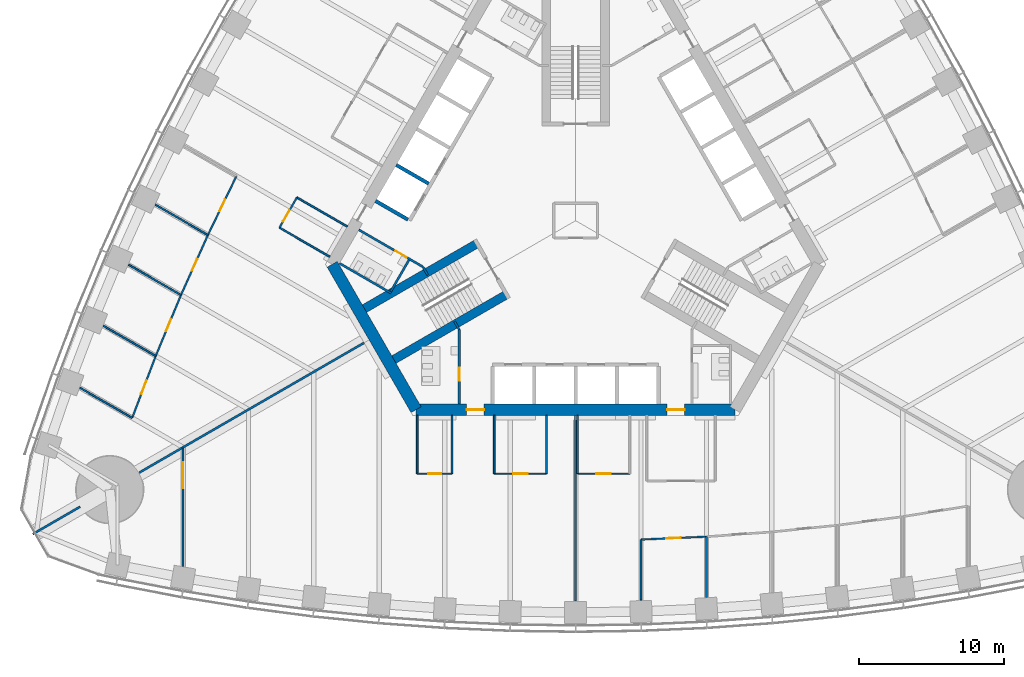
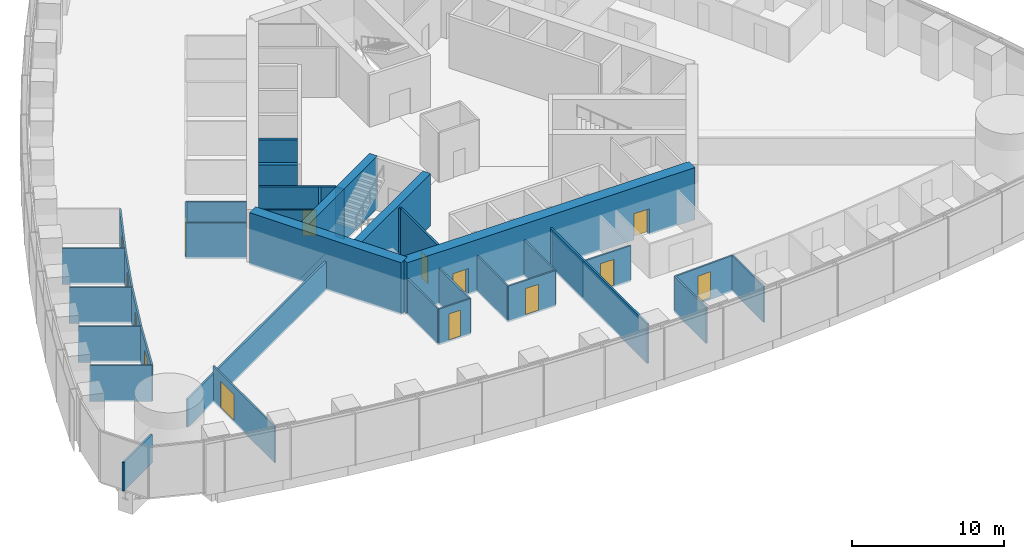
# One storey, part 10 of 19: 38 walls, 14 doors, 14 openings.
"""IFC4 building model written with IfcOpenShell, lengths in metres."""

from ifc_helpers import new_model, si_unit, direction, frame, frame_2d, origin, place, context, subcontext, project, spatial, rectangle, extrude, material, layer, layer_set, type_object, element, fill, save


model = new_model("IFC4")

# Units and contexts
model_context = context("Model", 3, precision=1e-05, world=origin(), true_north=direction((0.0, 1.0)))
body_context = subcontext(model_context, "Body", "Model", "MODEL_VIEW")
ifc_project = project(units=[si_unit("LENGTHUNIT", "METRE"), si_unit("AREAUNIT", "SQUARE_METRE"), si_unit("VOLUMEUNIT", "CUBIC_METRE"), si_unit("PLANEANGLEUNIT", "RADIAN"), si_unit("MASSUNIT", "GRAM", prefix="KILO")], contexts=[model_context])

# Site, building, storey
site_placement = place(None, origin())
site = spatial("IfcSite", under=ifc_project, at=site_placement, CompositionType="ELEMENT")
building_placement = place(site_placement, origin())
building = spatial("IfcBuilding", under=site, at=building_placement, Name="Trefoil Bronze Tower", CompositionType="ELEMENT")
storey_placement = place(building_placement, frame((0.0, 0.0, 45.89990234375)))
storey = spatial("IfcBuildingStorey", under=building, at=storey_placement, Name="L10", CompositionType="ELEMENT", Elevation=45.89990234375)

# Wall, openings, doors
ifc_material_1 = material(Name="Concrete B80", Category="concrete")
ifc_layer_1 = layer(ifc_material_1, 0.800048828125)
ifc_layer_set_1 = layer_set([ifc_layer_1], Name="Core wall 800")
wall_type_1 = type_object("IfcWallType", Name="Core wall 800", PredefinedType="SHEAR", material=ifc_layer_set_1)
wall_1_placement = place(storey_placement, frame((-10.9697265625, -13.0, 0.0), z_axis=(0.0, 0.0, 1.0), x_axis=(1.0, 0.0, 0.0)))
wall_1 = element("IfcWall", 1, at=wall_1_placement, inside=storey, type_object=wall_type_1, Name="Core long wall 1 L10", PredefinedType="SHEAR", context=body_context, shape_type="SweptSolid", body=[
    extrude(rectangle(XDim=21.939453125, YDim=0.800048828125, at=frame_2d((10.9697265625, 0.0))), origin(), (0.0, 0.0, 1.0), 4.2001953125),
])
opening_1_placement = place(wall_1_placement, frame((17.269775390625, 0.0, 0.0)))
opening_1 = element("IfcOpeningElement", 2, at=opening_1_placement, cuts=wall_1, Name="Opening D2", PredefinedType="OPENING", context=body_context, shape_type="SweptSolid", body=[
    extrude(rectangle(XDim=1.199951171875, YDim=2.10009765625, at=frame_2d((0.60009765625, 1.050048828125))), frame((0.0, 0.409912109375, 0.0), z_axis=(0.0, -1.0, 0.0), x_axis=(1.0, 0.0, 0.0)), (0.0, 0.0, 1.0), 0.820068359375),
])
opening_2_placement = place(wall_1_placement, frame((3.4697265625, 0.0, 0.0)))
opening_2 = element("IfcOpeningElement", 3, at=opening_2_placement, cuts=wall_1, Name="Opening D2", PredefinedType="OPENING", context=body_context, shape_type="SweptSolid", body=[
    extrude(rectangle(XDim=1.199951171875, YDim=2.10009765625, at=frame_2d((0.60009765625, 1.050048828125))), frame((0.0, 0.409912109375, 0.0), z_axis=(0.0, -1.0, 0.0), x_axis=(1.0, 0.0, 0.0)), (0.0, 0.0, 1.0), 0.820068359375),
])
ifc_material_2 = material(Name="Steel door", Category="steel")
door_type_1 = type_object("IfcDoorType", Name="Lobby door 1200", OperationType="SINGLE_SWING_RIGHT", PredefinedType="DOOR", material=ifc_material_2)
door_1_placement = place(opening_1_placement, origin())
door_1 = element("IfcDoor", 4, at=door_1_placement, inside=storey, type_object=door_type_1, Name="Lobby door F1+ L10", OperationType="SINGLE_SWING_RIGHT", OverallHeight=2.10009765625, OverallWidth=1.199951171875, PredefinedType="DOOR", context=body_context, shape_type="SweptSolid", body=[
    extrude(rectangle(XDim=1.199951171875, YDim=2.10009765625, at=frame_2d((0.60009765625, 1.050048828125))), frame((0.0, 0.02490234375, 0.0), z_axis=(0.0, -1.0, 0.0), x_axis=(1.0, 0.0, 0.0)), (0.0, 0.0, 1.0), 0.050048828125),
])
fill(opening_1, door_1)
door_2_placement = place(opening_2_placement, origin())
door_2 = element("IfcDoor", 5, at=door_2_placement, inside=storey, type_object=door_type_1, Name="Lobby door F1- L10", OperationType="SINGLE_SWING_LEFT", OverallHeight=2.10009765625, OverallWidth=1.199951171875, PredefinedType="DOOR", context=body_context, shape_type="SweptSolid", body=[
    extrude(rectangle(XDim=1.199951171875, YDim=2.10009765625, at=frame_2d((0.60009765625, 1.050048828125))), frame((0.0, 0.02490234375, 0.0), z_axis=(0.0, -1.0, 0.0), x_axis=(1.0, 0.0, 0.0)), (0.0, 0.0, 1.0), 0.050048828125),
])
fill(opening_2, door_2)

# Wall
wall_2_placement = place(storey_placement, frame((-16.7431640625, -3.0, 0.0), z_axis=(0.0, 0.0, 1.0), x_axis=(0.499995765644, -0.866027848477, 0.0)))
element("IfcWall", 6, at=wall_2_placement, inside=storey, type_object=wall_type_1, Name="Core short wall 3 L10", PredefinedType="SHEAR", context=body_context, shape_type="SweptSolid", body=[
    extrude(rectangle(XDim=11.546875, YDim=0.800048828125, at=frame_2d((5.7734375, 0.0))), origin(), (0.0, 0.0, 1.0), 4.2001953125),
])

# Wall, opening, door
ifc_material_3 = material(Name="Glazed partition", Category="glass")
ifc_layer_2 = layer(ifc_material_3, 0.1201171875)
ifc_layer_set_2 = layer_set([ifc_layer_2], Name="Glazed partition 120")
wall_type_2 = type_object("IfcWallType", Name="Glazed partition 120", PredefinedType="PARTITIONING", material=ifc_layer_set_2)
wall_3_placement = place(storey_placement, frame((0.125, -17.39990234375, 0.0), z_axis=(0.0, 0.0, 1.0), x_axis=(1.0, 0.0, 0.0)))
wall_3 = element("IfcWall", 7, at=wall_3_placement, inside=storey, type_object=wall_type_2, Name="Partition F1 L10", PredefinedType="PARTITIONING", context=body_context, shape_type="SweptSolid", body=[
    extrude(rectangle(XDim=3.60009765625, YDim=0.1201171875, at=frame_2d((1.800048828125, 0.0))), origin(), (0.0, 0.0, 1.0), 2.900146484375),
])
opening_3_placement = place(wall_3_placement, frame((1.300048828125, 0.0, 0.14990234375)))
opening_3 = element("IfcOpeningElement", 8, at=opening_3_placement, cuts=wall_3, Name="Opening D9", PredefinedType="OPENING", context=body_context, shape_type="SweptSolid", body=[
    extrude(rectangle(XDim=1.0, YDim=2.10009765625, at=frame_2d((0.5, 1.050048828125))), frame((0.0, 0.070068359375, 0.0), z_axis=(0.0, -1.0, 0.0), x_axis=(1.0, 0.0, 0.0)), (0.0, 0.0, 1.0), 0.14013671875),
])
ifc_material_4 = material(Name="Glazed timber door", Category="wood")
door_type_2 = type_object("IfcDoorType", Name="Meeting room door 1000", OperationType="SINGLE_SWING_LEFT", PredefinedType="DOOR", material=ifc_material_4)
door_3_placement = place(opening_3_placement, origin())
door_3 = element("IfcDoor", 9, at=door_3_placement, inside=storey, type_object=door_type_2, Name="Meeting room door F1 L10", OperationType="SINGLE_SWING_LEFT", OverallHeight=2.10009765625, OverallWidth=1.0, PredefinedType="DOOR", context=body_context, shape_type="SweptSolid", body=[
    extrude(rectangle(XDim=1.0, YDim=2.10009765625, at=frame_2d((0.5, 1.050048828125))), frame((0.0, 0.02490234375, 0.0), z_axis=(0.0, -1.0, 0.0), x_axis=(1.0, 0.0, 0.0)), (0.0, 0.0, 1.0), 0.050048828125),
])
fill(opening_3, door_3)

wall_4_placement = place(storey_placement, frame((-10.89990234375, -17.39990234375, 0.0), z_axis=(0.0, 0.0, 1.0), x_axis=(1.0, 0.0, 0.0)))
wall_4 = element("IfcWall", 10, at=wall_4_placement, inside=storey, type_object=wall_type_2, Name="Partition F1 L10", PredefinedType="PARTITIONING", context=body_context, shape_type="SweptSolid", body=[
    extrude(rectangle(XDim=2.39990234375, YDim=0.1201171875, at=frame_2d((1.199951171875, 0.0))), origin(), (0.0, 0.0, 1.0), 2.900146484375),
])
opening_4_placement = place(wall_4_placement, frame((0.75, 0.0, 0.14990234375)))
opening_4 = element("IfcOpeningElement", 11, at=opening_4_placement, cuts=wall_4, Name="Opening D8", PredefinedType="OPENING", context=body_context, shape_type="SweptSolid", body=[
    extrude(rectangle(XDim=0.89990234375, YDim=2.10009765625, at=frame_2d((0.449951171875, 1.050048828125))), frame((0.0, 0.070068359375, 0.0), z_axis=(0.0, -1.0, 0.0), x_axis=(1.0, 0.0, 0.0)), (0.0, 0.0, 1.0), 0.14013671875),
])
ifc_material_5 = material(Name="Timber door", Category="wood")
door_type_3 = type_object("IfcDoorType", Name="Office door 900", OperationType="SINGLE_SWING_LEFT", PredefinedType="DOOR", material=ifc_material_5)
door_4_placement = place(opening_4_placement, origin())
door_4 = element("IfcDoor", 12, at=door_4_placement, inside=storey, type_object=door_type_3, Name="Comms room door F1 L10", OperationType="SINGLE_SWING_LEFT", OverallHeight=2.10009765625, OverallWidth=0.89990234375, PredefinedType="DOOR", context=body_context, shape_type="SweptSolid", body=[
    extrude(rectangle(XDim=0.89990234375, YDim=2.10009765625, at=frame_2d((0.449951171875, 1.050048828125))), frame((0.0, 0.02490234375, 0.0), z_axis=(0.0, -1.0, 0.0), x_axis=(1.0, 0.0, 0.0)), (0.0, 0.0, 1.0), 0.050048828125),
])
fill(opening_4, door_4)

wall_5_placement = place(storey_placement, frame((-5.60009765625, -17.39990234375, 0.0), z_axis=(0.0, 0.0, 1.0), x_axis=(1.0, 0.0, 0.0)))
wall_5 = element("IfcWall", 13, at=wall_5_placement, inside=storey, type_object=wall_type_2, Name="Partition F1 L10", PredefinedType="PARTITIONING", context=body_context, shape_type="SweptSolid", body=[
    extrude(rectangle(XDim=3.60009765625, YDim=0.1201171875, at=frame_2d((1.800048828125, 0.0))), origin(), (0.0, 0.0, 1.0), 2.900146484375),
])
opening_5_placement = place(wall_5_placement, frame((1.300048828125, 0.0, 0.14990234375)))
opening_5 = element("IfcOpeningElement", 14, at=opening_5_placement, cuts=wall_5, Name="Opening D9", PredefinedType="OPENING", context=body_context, shape_type="SweptSolid", body=[
    extrude(rectangle(XDim=1.0, YDim=2.10009765625, at=frame_2d((0.5, 1.050048828125))), frame((0.0, 0.070068359375, 0.0), z_axis=(0.0, -1.0, 0.0), x_axis=(1.0, 0.0, 0.0)), (0.0, 0.0, 1.0), 0.14013671875),
])
door_5_placement = place(opening_5_placement, origin())
door_5 = element("IfcDoor", 15, at=door_5_placement, inside=storey, type_object=door_type_2, Name="Meeting room door F1 L10", OperationType="SINGLE_SWING_RIGHT", OverallHeight=2.10009765625, OverallWidth=1.0, PredefinedType="DOOR", context=body_context, shape_type="SweptSolid", body=[
    extrude(rectangle(XDim=1.0, YDim=2.10009765625, at=frame_2d((0.5, 1.050048828125))), frame((0.0, 0.02490234375, 0.0), z_axis=(0.0, -1.0, 0.0), x_axis=(1.0, 0.0, 0.0)), (0.0, 0.0, 1.0), 0.050048828125),
])
fill(opening_5, door_5)

# Walls
for number, where, z_axis, x_axis, name in (
    (16, (0.125, -13.39990234375, 0.0), (0.0, 0.0, 1.0), (0.0, -1.0, 0.0), "Partition F1 L10"),
    (17, (-10.89990234375, -13.39990234375, 0.0), (0.0, 0.0, 1.0), (0.0, -1.0, 0.0), "Partition F1 L10"),
    (18, (-2.0, -13.39990234375, 0.0), (0.0, 0.0, 1.0), (0.0, -1.0, 0.0), "Partition F1 L10"),
    (19, (-5.60009765625, -13.39990234375, 0.0), (0.0, 0.0, 1.0), (0.0, -1.0, 0.0), "Partition F1 L10"),
    (20, (-8.5, -13.39990234375, 0.0), (0.0, 0.0, 1.0), (0.0, -1.0, 0.0), "Partition F1 L10"),
):
    element("IfcWall", number, at=place(storey_placement, frame(where, z_axis=z_axis, x_axis=x_axis)), inside=storey, type_object=wall_type_2, Name=name, PredefinedType="PARTITIONING", context=body_context, shape_type="SweptSolid", body=[
        extrude(rectangle(XDim=4.0, YDim=0.1201171875, at=frame_2d((2.0, 0.0))), origin(), (0.0, 0.0, 1.0), 2.900146484375),
    ])

# Wall, opening, door
wall_6_placement = place(storey_placement, frame((4.5, -21.933349609375, 0.0), z_axis=(0.0, 0.0, 1.0), x_axis=(0.999052370647, 0.043524254212, 0.0)))
wall_6 = element("IfcWall", 21, at=wall_6_placement, inside=storey, type_object=wall_type_2, Name="Partition F1 L10", PredefinedType="PARTITIONING", context=body_context, shape_type="SweptSolid", body=[
    extrude(rectangle(XDim=4.504150390625, YDim=0.1201171875, at=frame_2d((2.251953125, 0.0))), origin(), (0.0, 0.0, 1.0), 2.900146484375),
])
opening_6_placement = place(wall_6_placement, frame((1.75, 0.0, 0.14990234375)))
opening_6 = element("IfcOpeningElement", 22, at=opening_6_placement, cuts=wall_6, Name="Opening D9", PredefinedType="OPENING", context=body_context, shape_type="SweptSolid", body=[
    extrude(rectangle(XDim=1.0, YDim=2.10009765625, at=frame_2d((0.5, 1.050048828125))), frame((0.0, 0.070068359375, 0.0), z_axis=(0.0, -1.0, 0.0), x_axis=(1.0, 0.0, 0.0)), (0.0, 0.0, 1.0), 0.14013671875),
])
door_6_placement = place(opening_6_placement, frame((1.0, 0.0, 0.0), z_axis=(0.0, 0.0, 1.0), x_axis=(-1.0, 0.0, 0.0)))
door_6 = element("IfcDoor", 23, at=door_6_placement, inside=storey, type_object=door_type_2, Name="Meeting room door F1 L10", OperationType="SINGLE_SWING_RIGHT", OverallHeight=2.10009765625, OverallWidth=1.0, PredefinedType="DOOR", context=body_context, shape_type="SweptSolid", body=[
    extrude(rectangle(XDim=1.0, YDim=2.10009765625, at=frame_2d((0.5, 1.050048828125))), frame((0.0, 0.02490234375, 0.0), z_axis=(0.0, -1.0, 0.0), x_axis=(1.0, 0.0, 0.0)), (0.0, 0.0, 1.0), 0.050048828125),
])
fill(opening_6, door_6)

# Walls
wall_7_placement = place(storey_placement, frame((4.5, -21.933349609375, 0.0), z_axis=(0.0, 0.0, 1.0), x_axis=(0.0, -1.0, 0.0)))
element("IfcWall", 24, at=wall_7_placement, inside=storey, type_object=wall_type_2, Name="Partition F1 L10", PredefinedType="PARTITIONING", context=body_context, shape_type="SweptSolid", body=[
    extrude(rectangle(XDim=4.16943359375, YDim=0.1201171875, at=frame_2d((2.084716796875, 0.0))), origin(), (0.0, 0.0, 1.0), 2.900146484375),
])
wall_8_placement = place(storey_placement, frame((9.0, -21.7373046875, 0.0), z_axis=(0.0, 0.0, 1.0), x_axis=(0.0, -1.0, 0.0)))
element("IfcWall", 25, at=wall_8_placement, inside=storey, type_object=wall_type_2, Name="Partition F1 L10", PredefinedType="PARTITIONING", context=body_context, shape_type="SweptSolid", body=[
    extrude(rectangle(XDim=4.16748046875, YDim=0.1201171875, at=frame_2d((2.083740234375, 0.0))), origin(), (0.0, 0.0, 1.0), 2.900146484375),
])

# Wall, opening, door
wall_9_placement = place(storey_placement, frame((-27.0, -15.65185546875, 0.0), z_axis=(0.0, 0.0, 1.0), x_axis=(0.0, -1.0, 0.0)))
wall_9 = element("IfcWall", 26, at=wall_9_placement, inside=storey, type_object=wall_type_2, Name="Partition F1 L10", PredefinedType="PARTITIONING", context=body_context, shape_type="SweptSolid", body=[
    extrude(rectangle(XDim=8.124267578125, YDim=0.1201171875, at=frame_2d((4.06201171875, 0.0))), origin(), (0.0, 0.0, 1.0), 2.900146484375),
])
opening_7_placement = place(wall_9_placement, frame((0.949951171875, 0.0, 0.14990234375)))
opening_7 = element("IfcOpeningElement", 27, at=opening_7_placement, cuts=wall_9, Name="Opening D10", PredefinedType="OPENING", context=body_context, shape_type="SweptSolid", body=[
    extrude(rectangle(XDim=1.800048828125, YDim=2.10009765625, at=frame_2d((0.89990234375, 1.050048828125))), frame((0.0, 0.070068359375, 0.0), z_axis=(0.0, -1.0, 0.0), x_axis=(1.0, 0.0, 0.0)), (0.0, 0.0, 1.0), 0.14013671875),
])
ifc_material_6 = material(Name="Timber door", Category="wood")
door_type_4 = type_object("IfcDoorType", Name="Double door 1800", OperationType="DOUBLE_DOOR_SINGLE_SWING", PredefinedType="DOOR", material=ifc_material_6)
door_7_placement = place(opening_7_placement, frame((1.800048828125, 0.0, 0.0), z_axis=(0.0, 0.0, 1.0), x_axis=(-1.0, 0.0, 0.0)))
door_7 = element("IfcDoor", 28, at=door_7_placement, inside=storey, type_object=door_type_4, Name="Kitchen and breakout door F1 L10", OperationType="DOUBLE_DOOR_SINGLE_SWING", OverallHeight=2.10009765625, OverallWidth=1.800048828125, PredefinedType="DOOR", context=body_context, shape_type="SweptSolid", body=[
    extrude(rectangle(XDim=1.800048828125, YDim=2.10009765625, at=frame_2d((0.89990234375, 1.050048828125))), frame((0.0, 0.02490234375, 0.0), z_axis=(0.0, -1.0, 0.0), x_axis=(1.0, 0.0, 0.0)), (0.0, 0.0, 1.0), 0.050048828125),
])
fill(opening_7, door_7)

wall_10_placement = place(storey_placement, frame((-19.1689453125, 1.5986328125, 0.0), z_axis=(0.0, 0.0, 1.0), x_axis=(-0.499957262057, -0.866050077142, 0.0)))
wall_10 = element("IfcWall", 29, at=wall_10_placement, inside=storey, type_object=wall_type_2, Name="Partition F3 L10", PredefinedType="PARTITIONING", context=body_context, shape_type="SweptSolid", body=[
    extrude(rectangle(XDim=2.400146484375, YDim=0.1201171875, at=frame_2d((1.2001953125, 0.0))), origin(), (0.0, 0.0, 1.0), 2.900146484375),
])
opening_8_placement = place(wall_10_placement, frame((1.0, 0.0, 0.14990234375)))
opening_8 = element("IfcOpeningElement", 30, at=opening_8_placement, cuts=wall_10, Name="Opening D8", PredefinedType="OPENING", context=body_context, shape_type="SweptSolid", body=[
    extrude(rectangle(XDim=0.89990234375, YDim=2.10009765625, at=frame_2d((0.449951171875, 1.050048828125))), frame((0.0, 0.070068359375, 0.0), z_axis=(0.0, -1.0, 0.0), x_axis=(1.0, 0.0, 0.0)), (0.0, 0.0, 1.0), 0.14013671875),
])
door_8_placement = place(opening_8_placement, origin())
door_8 = element("IfcDoor", 31, at=door_8_placement, inside=storey, type_object=door_type_3, Name="Store door F3 L10", OperationType="SINGLE_SWING_RIGHT", OverallHeight=2.10009765625, OverallWidth=0.89990234375, PredefinedType="DOOR", context=body_context, shape_type="SweptSolid", body=[
    extrude(rectangle(XDim=0.89990234375, YDim=2.10009765625, at=frame_2d((0.449951171875, 1.050048828125))), frame((0.0, 0.02490234375, 0.0), z_axis=(0.0, -1.0, 0.0), x_axis=(1.0, 0.0, 0.0)), (0.0, 0.0, 1.0), 0.050048828125),
])
fill(opening_8, door_8)

# Walls
for number, where, z_axis, x_axis, name in (
    (32, (-16.90478515625, -2.47998046875, 0.0), (0.0, 0.0, 1.0), (-0.866026010844, 0.49999894854, 0.0), "Partition F3 L10"),
    (33, (-15.704833984375, -0.4013671875, 0.0), (0.0, 0.0, 1.0), (-0.866026010844, 0.49999894854, 0.0), "Partition F3 L10"),
):
    element("IfcWall", number, at=place(storey_placement, frame(where, z_axis=z_axis, x_axis=x_axis)), inside=storey, type_object=wall_type_2, Name=name, PredefinedType="PARTITIONING", context=body_context, shape_type="SweptSolid", body=[
        extrude(rectangle(XDim=4.0, YDim=0.1201171875, at=frame_2d((2.0, 0.0))), origin(), (0.0, 0.0, 1.0), 2.900146484375),
    ])

# Wall, opening, door
wall_11_placement = place(storey_placement, frame((-25.291748046875, -0.986328125, 0.0), z_axis=(0.0, 0.0, 1.0), x_axis=(-0.409451055745, -0.912332084796, 0.0)))
wall_11 = element("IfcWall", 34, at=wall_11_placement, inside=storey, type_object=wall_type_2, Name="Partition F3 L10", PredefinedType="PARTITIONING", context=body_context, shape_type="SweptSolid", body=[
    extrude(rectangle(XDim=4.523193359375, YDim=0.1201171875, at=frame_2d((2.26171875, 0.0))), origin(), (0.0, 0.0, 1.0), 2.900146484375),
])
opening_9_placement = place(wall_11_placement, frame((1.800048828125, 0.0, 0.14990234375)))
opening_9 = element("IfcOpeningElement", 35, at=opening_9_placement, cuts=wall_11, Name="Opening D8", PredefinedType="OPENING", context=body_context, shape_type="SweptSolid", body=[
    extrude(rectangle(XDim=0.89990234375, YDim=2.10009765625, at=frame_2d((0.449951171875, 1.050048828125))), frame((0.0, 0.070068359375, 0.0), z_axis=(0.0, -1.0, 0.0), x_axis=(1.0, 0.0, 0.0)), (0.0, 0.0, 1.0), 0.14013671875),
])
door_9_placement = place(opening_9_placement, frame((0.89990234375, 0.0, 0.0), z_axis=(0.0, 0.0, 1.0), x_axis=(-1.0, 0.0, 0.0)))
door_9 = element("IfcDoor", 36, at=door_9_placement, inside=storey, type_object=door_type_3, Name="Office door F3 L10", OperationType="SINGLE_SWING_RIGHT", OverallHeight=2.10009765625, OverallWidth=0.89990234375, PredefinedType="DOOR", context=body_context, shape_type="SweptSolid", body=[
    extrude(rectangle(XDim=0.89990234375, YDim=2.10009765625, at=frame_2d((0.449951171875, 1.050048828125))), frame((0.0, 0.02490234375, 0.0), z_axis=(0.0, -1.0, 0.0), x_axis=(1.0, 0.0, 0.0)), (0.0, 0.0, 1.0), 0.050048828125),
])
fill(opening_9, door_9)

wall_12_placement = place(storey_placement, frame((-27.143798828125, -5.113037109375, 0.0), z_axis=(0.0, 0.0, 1.0), x_axis=(-0.382594071331, -0.923916542001, 0.0)))
wall_12 = element("IfcWall", 37, at=wall_12_placement, inside=storey, type_object=wall_type_2, Name="Partition F3 L10", PredefinedType="PARTITIONING", context=body_context, shape_type="SweptSolid", body=[
    extrude(rectangle(XDim=4.5390625, YDim=0.1201171875, at=frame_2d((2.26953125, 0.0))), origin(), (0.0, 0.0, 1.0), 2.900146484375),
])
opening_10_placement = place(wall_12_placement, frame((1.800048828125, 0.0, 0.14990234375)))
opening_10 = element("IfcOpeningElement", 38, at=opening_10_placement, cuts=wall_12, Name="Opening D8", PredefinedType="OPENING", context=body_context, shape_type="SweptSolid", body=[
    extrude(rectangle(XDim=0.89990234375, YDim=2.10009765625, at=frame_2d((0.449951171875, 1.050048828125))), frame((0.0, 0.070068359375, 0.0), z_axis=(0.0, -1.0, 0.0), x_axis=(1.0, 0.0, 0.0)), (0.0, 0.0, 1.0), 0.14013671875),
])
door_10_placement = place(opening_10_placement, frame((0.89990234375, 0.0, 0.0), z_axis=(0.0, 0.0, 1.0), x_axis=(-1.0, 0.0, 0.0)))
door_10 = element("IfcDoor", 39, at=door_10_placement, inside=storey, type_object=door_type_3, Name="Office door F3 L10", OperationType="SINGLE_SWING_RIGHT", OverallHeight=2.10009765625, OverallWidth=0.89990234375, PredefinedType="DOOR", context=body_context, shape_type="SweptSolid", body=[
    extrude(rectangle(XDim=0.89990234375, YDim=2.10009765625, at=frame_2d((0.449951171875, 1.050048828125))), frame((0.0, 0.02490234375, 0.0), z_axis=(0.0, -1.0, 0.0), x_axis=(1.0, 0.0, 0.0)), (0.0, 0.0, 1.0), 0.050048828125),
])
fill(opening_10, door_10)

wall_13_placement = place(storey_placement, frame((-28.88037109375, -9.306640625, 0.0), z_axis=(0.0, 0.0, 1.0), x_axis=(-0.355416187875, -0.934708154129, 0.0)))
wall_13 = element("IfcWall", 40, at=wall_13_placement, inside=storey, type_object=wall_type_2, Name="Partition F3 L10", PredefinedType="PARTITIONING", context=body_context, shape_type="SweptSolid", body=[
    extrude(rectangle(XDim=4.558349609375, YDim=0.1201171875, at=frame_2d((2.279296875, 0.0))), origin(), (0.0, 0.0, 1.0), 2.900146484375),
])
opening_11_placement = place(wall_13_placement, frame((1.800048828125, 0.0, 0.14990234375)))
opening_11 = element("IfcOpeningElement", 41, at=opening_11_placement, cuts=wall_13, Name="Opening D9", PredefinedType="OPENING", context=body_context, shape_type="SweptSolid", body=[
    extrude(rectangle(XDim=1.0, YDim=2.10009765625, at=frame_2d((0.5, 1.050048828125))), frame((0.0, 0.070068359375, 0.0), z_axis=(0.0, -1.0, 0.0), x_axis=(1.0, 0.0, 0.0)), (0.0, 0.0, 1.0), 0.14013671875),
])
door_11_placement = place(opening_11_placement, frame((1.0, 0.0, 0.0), z_axis=(0.0, 0.0, 1.0), x_axis=(-1.0, 0.0, 0.0)))
door_11 = element("IfcDoor", 42, at=door_11_placement, inside=storey, type_object=door_type_2, Name="Meeting room door F3 L10", OperationType="SINGLE_SWING_LEFT", OverallHeight=2.10009765625, OverallWidth=1.0, PredefinedType="DOOR", context=body_context, shape_type="SweptSolid", body=[
    extrude(rectangle(XDim=1.0, YDim=2.10009765625, at=frame_2d((0.5, 1.050048828125))), frame((0.0, 0.02490234375, 0.0), z_axis=(0.0, -1.0, 0.0), x_axis=(1.0, 0.0, 0.0)), (0.0, 0.0, 1.0), 0.050048828125),
])
fill(opening_11, door_11)

wall_14_placement = place(storey_placement, frame((-23.3251953125, 3.074462890625, 0.0), z_axis=(0.0, 0.0, 1.0), x_axis=(-0.435857917556, -0.900015486369, 0.0)))
wall_14 = element("IfcWall", 43, at=wall_14_placement, inside=storey, type_object=wall_type_2, Name="Partition F3 L10", PredefinedType="PARTITIONING", context=body_context, shape_type="SweptSolid", body=[
    extrude(rectangle(XDim=4.511962890625, YDim=0.1201171875, at=frame_2d((2.255859375, 0.0))), origin(), (0.0, 0.0, 1.0), 2.900146484375),
])
opening_12_placement = place(wall_14_placement, frame((1.800048828125, 0.0, 0.14990234375)))
opening_12 = element("IfcOpeningElement", 44, at=opening_12_placement, cuts=wall_14, Name="Opening D8", PredefinedType="OPENING", context=body_context, shape_type="SweptSolid", body=[
    extrude(rectangle(XDim=0.89990234375, YDim=2.10009765625, at=frame_2d((0.449951171875, 1.050048828125))), frame((0.0, 0.070068359375, 0.0), z_axis=(0.0, -1.0, 0.0), x_axis=(1.0, 0.0, 0.0)), (0.0, 0.0, 1.0), 0.14013671875),
])
door_12_placement = place(opening_12_placement, frame((0.89990234375, 0.0, 0.0), z_axis=(0.0, 0.0, 1.0), x_axis=(-1.0, 0.0, 0.0)))
door_12 = element("IfcDoor", 45, at=door_12_placement, inside=storey, type_object=door_type_3, Name="Office door F3 L10", OperationType="SINGLE_SWING_RIGHT", OverallHeight=2.10009765625, OverallWidth=0.89990234375, PredefinedType="DOOR", context=body_context, shape_type="SweptSolid", body=[
    extrude(rectangle(XDim=0.89990234375, YDim=2.10009765625, at=frame_2d((0.449951171875, 1.050048828125))), frame((0.0, 0.02490234375, 0.0), z_axis=(0.0, -1.0, 0.0), x_axis=(1.0, 0.0, 0.0)), (0.0, 0.0, 1.0), 0.050048828125),
])
fill(opening_12, door_12)

# Walls
wall_15_placement = place(storey_placement, frame((-25.291748046875, -0.986328125, 0.0), z_axis=(0.0, 0.0, 1.0), x_axis=(-0.866011781705, 0.500023593391, 0.0)))
element("IfcWall", 46, at=wall_15_placement, inside=storey, type_object=wall_type_2, Name="Partition F3 L10", PredefinedType="PARTITIONING", context=body_context, shape_type="SweptSolid", body=[
    extrude(rectangle(XDim=4.163818359375, YDim=0.1201171875, at=frame_2d((2.08203125, 0.0))), origin(), (0.0, 0.0, 1.0), 2.900146484375),
])
wall_16_placement = place(storey_placement, frame((-27.143798828125, -5.113037109375, 0.0), z_axis=(0.0, 0.0, 1.0), x_axis=(-0.866031144707, 0.499990056298, 0.0)))
element("IfcWall", 47, at=wall_16_placement, inside=storey, type_object=wall_type_2, Name="Partition F3 L10", PredefinedType="PARTITIONING", context=body_context, shape_type="SweptSolid", body=[
    extrude(rectangle(XDim=4.1591796875, YDim=0.1201171875, at=frame_2d((2.07958984375, 0.0))), origin(), (0.0, 0.0, 1.0), 2.900146484375),
])
wall_17_placement = place(storey_placement, frame((-28.88037109375, -9.306640625, 0.0), z_axis=(0.0, 0.0, 1.0), x_axis=(-0.866027987673, 0.499995524547, 0.0)))
element("IfcWall", 48, at=wall_17_placement, inside=storey, type_object=wall_type_2, Name="Partition F3 L10", PredefinedType="PARTITIONING", context=body_context, shape_type="SweptSolid", body=[
    extrude(rectangle(XDim=4.1533203125, YDim=0.1201171875, at=frame_2d((2.07666015625, 0.0))), origin(), (0.0, 0.0, 1.0), 2.900146484375),
])
wall_18_placement = place(storey_placement, frame((-30.50048828125, -13.5673828125, 0.0), z_axis=(0.0, 0.0, 1.0), x_axis=(-0.86602376425, 0.500002839747, 0.0)))
element("IfcWall", 49, at=wall_18_placement, inside=storey, type_object=wall_type_2, Name="Partition F3 L10", PredefinedType="PARTITIONING", context=body_context, shape_type="SweptSolid", body=[
    extrude(rectangle(XDim=4.1455078125, YDim=0.1201171875, at=frame_2d((2.07275390625, 0.0))), origin(), (0.0, 0.0, 1.0), 2.900146484375),
])

# Wall, opening, door
ifc_material_7 = material(Name="Gypsum board on steel studs", Category="steel")
ifc_layer_3 = layer(ifc_material_7, 0.14990234375)
ifc_layer_set_3 = layer_set([ifc_layer_3], Name="Partition 150")
wall_type_3 = type_object("IfcWallType", Name="Partition 150", PredefinedType="PARTITIONING", material=ifc_layer_set_3)
wall_19_placement = place(storey_placement, frame((-8.0, -7.5, 0.0), z_axis=(0.0, 0.0, 1.0), x_axis=(0.0, -1.0, 0.0)))
wall_19 = element("IfcWall", 50, at=wall_19_placement, inside=storey, type_object=wall_type_3, Name="Passage wall F1- L10", PredefinedType="PARTITIONING", context=body_context, shape_type="SweptSolid", body=[
    extrude(rectangle(XDim=5.10009765625, YDim=0.14990234375, at=frame_2d((2.550048828125, 0.0))), origin(), (0.0, 0.0, 1.0), 4.0),
])
opening_13_placement = place(wall_19_placement, frame((2.60009765625, 0.0, 0.0)))
opening_13 = element("IfcOpeningElement", 51, at=opening_13_placement, cuts=wall_19, Name="Opening D3", PredefinedType="OPENING", context=body_context, shape_type="SweptSolid", body=[
    extrude(rectangle(XDim=0.89990234375, YDim=2.10009765625, at=frame_2d((0.449951171875, 1.050048828125))), frame((0.0, 0.0849609375, 0.0), z_axis=(0.0, -1.0, 0.0), x_axis=(1.0, 0.0, 0.0)), (0.0, 0.0, 1.0), 0.169921875),
])
ifc_material_8 = material(Name="Timber door", Category="wood")
door_type_5 = type_object("IfcDoorType", Name="WC door 900", OperationType="SINGLE_SWING_LEFT", PredefinedType="DOOR", material=ifc_material_8)
door_13_placement = place(opening_13_placement, frame((0.89990234375, 0.0, 0.0), z_axis=(0.0, 0.0, 1.0), x_axis=(-1.0, 0.0, 0.0)))
door_13 = element("IfcDoor", 52, at=door_13_placement, inside=storey, type_object=door_type_5, Name="WC (women) door L10", OperationType="SINGLE_SWING_LEFT", OverallHeight=2.10009765625, OverallWidth=0.89990234375, PredefinedType="DOOR", context=body_context, shape_type="SweptSolid", body=[
    extrude(rectangle(XDim=0.89990234375, YDim=2.10009765625, at=frame_2d((0.449951171875, 1.050048828125))), frame((0.0, 0.02490234375, 0.0), z_axis=(0.0, -1.0, 0.0), x_axis=(1.0, 0.0, 0.0)), (0.0, 0.0, 1.0), 0.050048828125),
])
fill(opening_13, door_13)

wall_20_placement = place(storey_placement, frame((-10.4951171875, -3.17822265625, 0.0), z_axis=(0.0, 0.0, 1.0), x_axis=(-0.86602216432, 0.500005610874, 0.0)))
wall_20 = element("IfcWall", 53, at=wall_20_placement, inside=storey, type_object=wall_type_3, Name="Passage wall F3+ L10", PredefinedType="PARTITIONING", context=body_context, shape_type="SweptSolid", body=[
    extrude(rectangle(XDim=5.10009765625, YDim=0.14990234375, at=frame_2d((2.550048828125, 0.0))), origin(), (0.0, 0.0, 1.0), 4.0),
])
opening_14_placement = place(wall_20_placement, frame((1.300048828125, 0.0, 0.0)))
opening_14 = element("IfcOpeningElement", 54, at=opening_14_placement, cuts=wall_20, Name="Opening D3", PredefinedType="OPENING", context=body_context, shape_type="SweptSolid", body=[
    extrude(rectangle(XDim=0.89990234375, YDim=2.10009765625, at=frame_2d((0.449951171875, 1.050048828125))), frame((0.0, 0.0849609375, 0.0), z_axis=(0.0, -1.0, 0.0), x_axis=(1.0, 0.0, 0.0)), (0.0, 0.0, 1.0), 0.169921875),
])
door_14_placement = place(opening_14_placement, origin())
door_14 = element("IfcDoor", 55, at=door_14_placement, inside=storey, type_object=door_type_5, Name="WC (men) door L10", OperationType="SINGLE_SWING_LEFT", OverallHeight=2.10009765625, OverallWidth=0.89990234375, PredefinedType="DOOR", context=body_context, shape_type="SweptSolid", body=[
    extrude(rectangle(XDim=0.89990234375, YDim=2.10009765625, at=frame_2d((0.449951171875, 1.050048828125))), frame((0.0, 0.02490234375, 0.0), z_axis=(0.0, -1.0, 0.0), x_axis=(1.0, 0.0, 0.0)), (0.0, 0.0, 1.0), 0.050048828125),
])
fill(opening_14, door_14)

# Walls
for number, where, z_axis, x_axis, name in (
    (56, (-10.4951171875, -3.17822265625, 0.0), (0.0, 0.0, 1.0), (0.499842556608, -0.866116284689, 0.0), "WC wall ST3-1 L10"),
    (57, (-8.0, -7.5, 0.0), (0.0, 0.0, 1.0), (-0.499842556608, 0.866116284689, 0.0), "WC wall ST3+1 L10"),
):
    element("IfcWall", number, at=place(storey_placement, frame(where, z_axis=z_axis, x_axis=x_axis)), inside=storey, type_object=wall_type_3, Name=name, PredefinedType="PARTITIONING", context=body_context, shape_type="SweptSolid", body=[
        extrude(rectangle(XDim=0.645263671875, YDim=0.14990234375, at=frame_2d((0.32275390625, 0.0))), origin(), (0.0, 0.0, 1.0), 4.0),
    ])
wall_21_placement = place(storey_placement, frame((-12.691162109375, -4.98193359375, 0.0), z_axis=(0.0, 0.0, 1.0), x_axis=(-0.8660249478, 0.500000789788, 0.0)))
element("IfcWall", 58, at=wall_21_placement, inside=storey, type_object=wall_type_3, Name="WC partition WC (men) L10", PredefinedType="PARTITIONING", context=body_context, shape_type="SweptSolid", body=[
    extrude(rectangle(XDim=4.10009765625, YDim=0.14990234375, at=frame_2d((2.050048828125, 0.0))), origin(), (0.0, 0.0, 1.0), 4.0),
])
wall_22_placement = place(storey_placement, frame((-11.463623046875, -2.70556640625, 0.0), z_axis=(0.0, 0.0, 1.0), x_axis=(-0.50001992892, -0.866013897511, 0.0)))
element("IfcWall", 59, at=wall_22_placement, inside=storey, type_object=wall_type_3, Name="WC partition WC (men) L10", PredefinedType="PARTITIONING", context=body_context, shape_type="SweptSolid", body=[
    extrude(rectangle(XDim=2.51025390625, YDim=0.14990234375, at=frame_2d((1.255126953125, 0.0))), origin(), (0.0, 0.0, 1.0), 4.0),
])
ifc_material_9 = material(Name="Gypsum board on steel studs", Category="steel")
ifc_layer_4 = layer(ifc_material_9, 0.14990234375)
ifc_layer_set_4 = layer_set([ifc_layer_4], Name="Party wall 150")
wall_type_4 = type_object("IfcWallType", Name="Party wall 150", PredefinedType="PARTITIONING", material=ifc_layer_set_4)
wall_23_placement = place(storey_placement, frame((-14.202880859375, -8.199951171875, 0.0), z_axis=(0.0, 0.0, 1.0), x_axis=(-0.866024965723, -0.500000758745, 0.0)))
element("IfcWall", 60, at=wall_23_placement, inside=storey, type_object=wall_type_4, Name="Party wall K3 L10", PredefinedType="PARTITIONING", context=body_context, shape_type="SweptSolid", body=[
    extrude(rectangle(XDim=18.25, YDim=0.14990234375, at=frame_2d((9.125, 0.0))), origin(), (0.0, 0.0, 1.0), 2.300048828125),
])
wall_24_placement = place(storey_placement, frame((-34.078125, -19.675048828125, 0.0), z_axis=(0.0, 0.0, 1.0), x_axis=(-0.866019247219, -0.500010663332, 0.0)))
element("IfcWall", 61, at=wall_24_placement, inside=storey, type_object=wall_type_4, Name="Party wall K3 L10", PredefinedType="PARTITIONING", context=body_context, shape_type="SweptSolid", body=[
    extrude(rectangle(XDim=3.76416015625, YDim=0.14990234375, at=frame_2d((1.882080078125, 0.0))), origin(), (0.0, 0.0, 1.0), 2.300048828125),
])
wall_25_placement = place(storey_placement, frame((0.0, -13.409912109375, 0.0), z_axis=(0.0, 0.0, 1.0), x_axis=(0.0, -1.0, 0.0)))
element("IfcWall", 62, at=wall_25_placement, inside=storey, type_object=wall_type_4, Name="Demising wall F1 L10", PredefinedType="PARTITIONING", context=body_context, shape_type="SweptSolid", body=[
    extrude(rectangle(XDim=12.7587890625, YDim=0.14990234375, at=frame_2d((6.37939453125, 0.0))), origin(), (0.0, 0.0, 1.0), 3.2001953125),
])
ifc_material_10 = material(Name="Concrete B80", Category="concrete")
ifc_layer_5 = layer(ifc_material_10, 0.25)
ifc_layer_set_5 = layer_set([ifc_layer_5], Name="Shaft wall 250")
wall_type_5 = type_object("IfcWallType", Name="Shaft wall 250", PredefinedType="SHEAR", material=ifc_layer_set_5)
for number, where, z_axis, x_axis, name in (
    (63, (-10.10693359375, 2.54443359375, 0.0), (0.0, 0.0, 1.0), (-0.866046643894, 0.499963209246, 0.0), "Lift shaft side wall C3 L10"),
    (64, (-11.531982421875, 0.076171875, 0.0), (0.0, 0.0, 1.0), (-0.866005588531, 0.500034319456, 0.0), "Lift shaft side wall C4 L10"),
):
    element("IfcWall", number, at=place(storey_placement, frame(where, z_axis=z_axis, x_axis=x_axis)), inside=storey, type_object=wall_type_5, Name=name, PredefinedType="SHEAR", context=body_context, shape_type="SweptSolid", body=[
        extrude(rectangle(XDim=2.574951171875, YDim=0.25, at=frame_2d((1.28759765625, 0.0))), origin(), (0.0, 0.0, 1.0), 4.2001953125),
    ])
ifc_material_11 = material(Name="Concrete B80", Category="concrete")
ifc_layer_6 = layer(ifc_material_11, 0.60009765625)
ifc_layer_set_6 = layer_set([ifc_layer_6], Name="Stair wall 600")
wall_type_6 = type_object("IfcWallType", Name="Stair wall 600", PredefinedType="SHEAR", material=ifc_layer_set_6)
for number, where, z_axis, x_axis, name in (
    (65, (-6.663330078125, -1.5087890625, 0.0), (0.0, 0.0, 1.0), (-0.866019375473, -0.500010441196, 0.0), "Stair wall ST3 L10"),
    (66, (-4.638427734375, -5.01611328125, 0.0), (0.0, 0.0, 1.0), (-0.866019375473, -0.500010441196, 0.0), "Stair wall ST3 L10"),
):
    element("IfcWall", number, at=place(storey_placement, frame(where, z_axis=z_axis, x_axis=x_axis)), inside=storey, type_object=wall_type_6, Name=name, PredefinedType="SHEAR", context=body_context, shape_type="SweptSolid", body=[
        extrude(rectangle(XDim=9.074951171875, YDim=0.60009765625, at=frame_2d((4.53759765625, 0.0))), origin(), (0.0, 0.0, 1.0), 4.2001953125),
    ])

save(model, "model.ifc")
